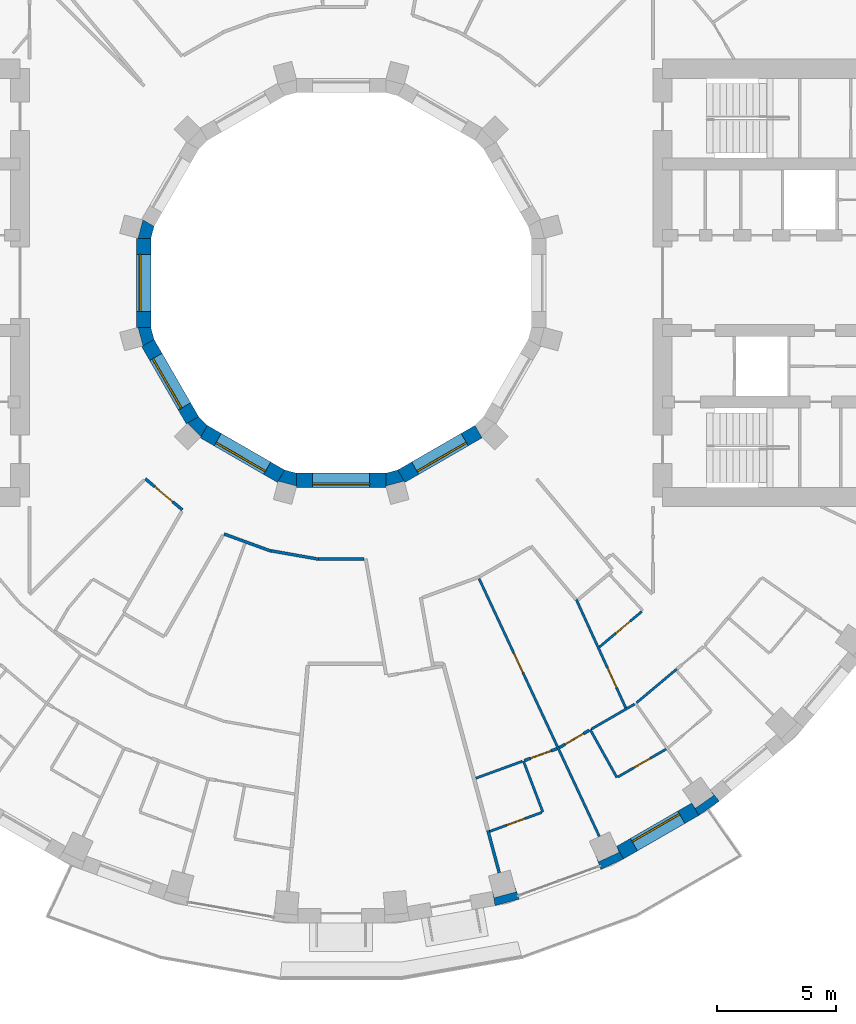
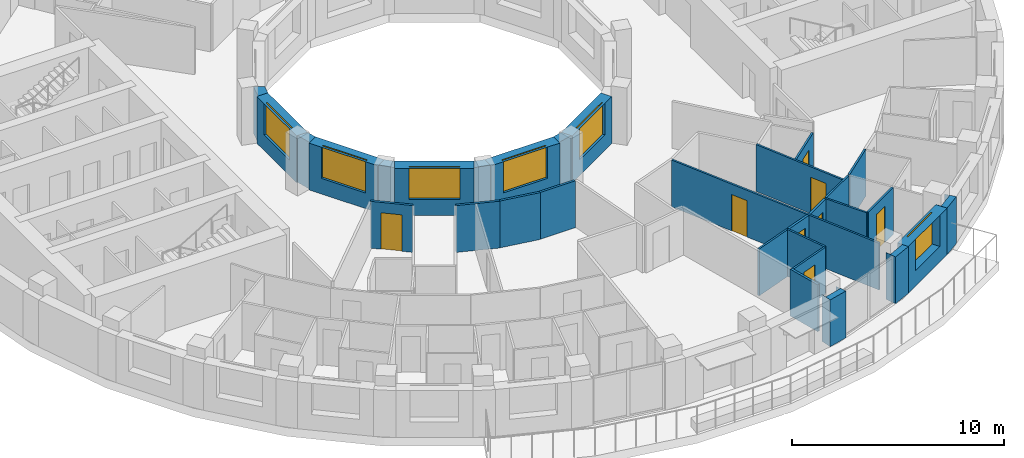
# One storey, part 8 of 16: 31 walls, 8 doors, 6 windows, 14 openings.
"""IFC4 building model written with IfcOpenShell, lengths in metres."""

from ifc_helpers import new_model, si_unit, direction, frame, frame_2d, origin, place, context, subcontext, project, spatial, polyline, rectangle, outline, extrude, material, layer, layer_set, type_object, element, fill, save


model = new_model("IFC4")

# Units and contexts
model_context = context("Model", 3, precision=1e-05, world=origin(), true_north=direction((0.0, 1.0)))
body_context = subcontext(model_context, "Body", "Model", "MODEL_VIEW")
ifc_project = project(units=[si_unit("LENGTHUNIT", "METRE"), si_unit("AREAUNIT", "SQUARE_METRE"), si_unit("VOLUMEUNIT", "CUBIC_METRE"), si_unit("PLANEANGLEUNIT", "RADIAN"), si_unit("MASSUNIT", "GRAM", prefix="KILO")], contexts=[model_context])

# Site, building, storey
site_placement = place(None, origin())
site = spatial("IfcSite", under=ifc_project, at=site_placement, CompositionType="ELEMENT")
building_placement = place(site_placement, origin())
building = spatial("IfcBuilding", under=site, at=building_placement, Name="Saqina Gate Tower", CompositionType="ELEMENT")
storey_placement = place(building_placement, frame((0.0, 0.0, 148.0)))
storey = spatial("IfcBuildingStorey", under=building, at=storey_placement, Name="L42", CompositionType="ELEMENT", Elevation=148.0)

# Walls
ifc_material_1 = material(Name="Brick masonry (buff)", Category="masonry")
wall_type_1 = type_object("IfcWallType", Name="BRICK PIER COPING BUFF", PredefinedType="SOLIDWALL", material=ifc_material_1)
wall_1_placement = place(storey_placement, origin())
element("IfcWall", 1, at=wall_1_placement, inside=storey, type_object=wall_type_1, Name="Pier cap L42 column 29", PredefinedType="SOLIDWALL", context=body_context, shape_type="SweptSolid", body=[
    extrude(outline(polyline([(6.466796875, -26.171875), (7.485595703125, -25.89892578125), (7.2802734375, -25.335205078125), (7.349853515625, -25.5947265625), (6.43212890625, -25.8408203125), (6.36279296875, -25.5810546875), (6.466796875, -26.171875)])), origin(), (0.0, 0.0, 1.0), 2.699951171875),
])
wall_2_placement = place(storey_placement, origin())
element("IfcWall", 2, at=wall_2_placement, inside=storey, type_object=wall_type_1, Name="Pier cap L42 column 30", PredefinedType="SOLIDWALL", context=body_context, shape_type="SweptSolid", body=[
    extrude(outline(polyline([(10.913330078125, -24.6513671875), (11.869140625, -24.205810546875), (11.569091796875, -23.68603515625), (11.6826171875, -23.9296875), (10.82177734375, -24.331298828125), (10.7080078125, -24.08740234375), (10.913330078125, -24.6513671875)])), origin(), (0.0, 0.0, 1.0), 2.699951171875),
])
wall_3_placement = place(storey_placement, origin())
element("IfcWall", 3, at=wall_3_placement, inside=storey, type_object=wall_type_1, Name="Pier cap L42 column 31", PredefinedType="SOLIDWALL", context=body_context, shape_type="SweptSolid", body=[
    extrude(outline(polyline([(15.89208984375, -21.77685546875), (15.50634765625, -21.317138671875), (15.66064453125, -21.53759765625), (14.88232421875, -22.08251953125), (14.728271484375, -21.862060546875), (15.0283203125, -22.3818359375), (15.89208984375, -21.77685546875)])), origin(), (0.0, 0.0, 1.0), 2.699951171875),
])

# Wall, opening, window
ifc_material_2 = material(Name="Brick masonry (buff)", Category="masonry")
ifc_layer_1 = layer(ifc_material_2, 0.60009765625)
ifc_layer_set_1 = layer_set([ifc_layer_1], Name="FW-BRICK-BUFF")
wall_type_2 = type_object("IfcWallType", Name="FW-BRICK-BUFF", PredefinedType="SOLIDWALL", material=ifc_layer_set_1)
wall_4_placement = place(storey_placement, frame((11.718994140625, -23.94580078125, 0.0), z_axis=(0.0, 0.0, 1.0), x_axis=(0.866051847062, 0.499954196102, 0.0)))
wall_4 = element("IfcWall", 4, at=wall_4_placement, inside=storey, type_object=wall_type_2, Name="Facade wall L42 facet 30", PredefinedType="SOLIDWALL", context=body_context, shape_type="SweptSolid", body=[
    extrude(rectangle(XDim=3.647705078125, YDim=0.60009765625, at=frame_2d((1.82373046875, 0.0))), origin(), (0.0, 0.0, 1.0), 2.699951171875),
])
opening_1_placement = place(wall_4_placement, frame((0.673828125, 0.0, 0.89990234375)))
opening_1 = element("IfcOpeningElement", 5, at=opening_1_placement, cuts=wall_4, Name="Opening G12-W19", PredefinedType="OPENING", context=body_context, shape_type="SweptSolid", body=[
    extrude(rectangle(XDim=2.300048828125, YDim=1.800048828125, at=frame_2d((1.14990234375, 0.89990234375))), frame((0.0, 0.31201171875, 0.0), z_axis=(0.0, -1.0, 0.0), x_axis=(1.0, 0.0, 0.0)), (0.0, 0.0, 1.0), 0.6240234375),
])
ifc_material_3 = material(Name="Aluminium glazing", Category="aluminium")
window_type_1 = type_object("IfcWindowType", Name="WN-B", PartitioningType="SINGLE_PANEL", PredefinedType="WINDOW", material=ifc_material_3)
window_1_placement = place(opening_1_placement, origin())
window_1 = element("IfcWindow", 6, at=window_1_placement, inside=storey, type_object=window_type_1, Name="Window L42 facet 30", OverallHeight=1.800048828125, OverallWidth=2.300048828125, PartitioningType="SINGLE_PANEL", PredefinedType="WINDOW", context=body_context, shape_type="SweptSolid", body=[
    extrude(rectangle(XDim=2.300048828125, YDim=1.800048828125, at=frame_2d((1.14990234375, 0.89990234375))), frame((0.0, 0.179931640625, 0.0), z_axis=(0.0, -1.0, 0.0), x_axis=(1.0, 0.0, 0.0)), (0.0, 0.0, 1.0), 0.06005859375),
])
fill(opening_1, window_1)

ifc_material_4 = material(Name="Glazed ceramic tile", Category="ceramic")
ifc_layer_2 = layer(ifc_material_4, 0.60009765625)
ifc_layer_set_2 = layer_set([ifc_layer_2], Name="IW-TILE")
wall_type_3 = type_object("IfcWallType", Name="IW-TILE", PredefinedType="SOLIDWALL", material=ifc_layer_set_2)
wall_5_placement = place(storey_placement, frame((-8.300048828125, 1.873779296875, 0.0), z_axis=(0.0, 0.0, 1.0), x_axis=(0.0, -1.0, 0.0)))
wall_5 = element("IfcWall", 7, at=wall_5_placement, inside=storey, type_object=wall_type_3, Name="Well wall L42 facet 6", PredefinedType="SOLIDWALL", context=body_context, shape_type="SweptSolid", body=[
    extrude(rectangle(XDim=3.74755859375, YDim=0.60009765625, at=frame_2d((1.873779296875, 0.0))), origin(), (0.0, 0.0, 1.0), 2.699951171875),
])
opening_2_placement = place(wall_5_placement, frame((0.673583984375, 0.0, 0.89990234375)))
opening_2 = element("IfcOpeningElement", 8, at=opening_2_placement, cuts=wall_5, Name="Opening G12-W28", PredefinedType="OPENING", context=body_context, shape_type="SweptSolid", body=[
    extrude(rectangle(XDim=2.39990234375, YDim=1.800048828125, at=frame_2d((1.199951171875, 0.89990234375))), frame((0.0, 0.31201171875, 0.0), z_axis=(0.0, -1.0, 0.0), x_axis=(1.0, 0.0, 0.0)), (0.0, 0.0, 1.0), 0.6240234375),
])
ifc_material_5 = material(Name="Aluminium glazing", Category="aluminium")
window_type_2 = type_object("IfcWindowType", Name="WN-W", PartitioningType="SINGLE_PANEL", PredefinedType="WINDOW", material=ifc_material_5)
window_2_placement = place(opening_2_placement, origin())
window_2 = element("IfcWindow", 9, at=window_2_placement, inside=storey, type_object=window_type_2, Name="Well window L42 facet 6", OverallHeight=1.800048828125, OverallWidth=2.39990234375, PartitioningType="SINGLE_PANEL", PredefinedType="WINDOW", context=body_context, shape_type="SweptSolid", body=[
    extrude(rectangle(XDim=2.39990234375, YDim=1.800048828125, at=frame_2d((1.199951171875, 0.89990234375))), frame((0.0, -0.119873046875, 0.0), z_axis=(0.0, -1.0, 0.0), x_axis=(1.0, 0.0, 0.0)), (0.0, 0.0, 1.0), 0.06005859375),
])
fill(opening_2, window_2)

wall_6_placement = place(storey_placement, frame((-8.124755859375, -2.52734375, 0.0), z_axis=(0.0, 0.0, 1.0), x_axis=(0.499964958637, -0.86604563398, 0.0)))
wall_6 = element("IfcWall", 10, at=wall_6_placement, inside=storey, type_object=wall_type_3, Name="Well wall L42 facet 7", PredefinedType="SOLIDWALL", context=body_context, shape_type="SweptSolid", body=[
    extrude(rectangle(XDim=3.747314453125, YDim=0.60009765625, at=frame_2d((1.87353515625, 0.0))), origin(), (0.0, 0.0, 1.0), 2.699951171875),
])
opening_3_placement = place(wall_6_placement, frame((0.673583984375, 0.0, 0.89990234375)))
opening_3 = element("IfcOpeningElement", 11, at=opening_3_placement, cuts=wall_6, Name="Opening G12-W29", PredefinedType="OPENING", context=body_context, shape_type="SweptSolid", body=[
    extrude(rectangle(XDim=2.39990234375, YDim=1.800048828125, at=frame_2d((1.199951171875, 0.89990234375))), frame((0.0, 0.31201171875, 0.0), z_axis=(0.0, -1.0, 0.0), x_axis=(1.0, 0.0, 0.0)), (0.0, 0.0, 1.0), 0.6240234375),
])
window_3_placement = place(opening_3_placement, origin())
window_3 = element("IfcWindow", 12, at=window_3_placement, inside=storey, type_object=window_type_2, Name="Well window L42 facet 7", OverallHeight=1.800048828125, OverallWidth=2.39990234375, PartitioningType="SINGLE_PANEL", PredefinedType="WINDOW", context=body_context, shape_type="SweptSolid", body=[
    extrude(rectangle(XDim=2.39990234375, YDim=1.800048828125, at=frame_2d((1.199951171875, 0.89990234375))), frame((0.0, -0.119873046875, 0.0), z_axis=(0.0, -1.0, 0.0), x_axis=(1.0, 0.0, 0.0)), (0.0, 0.0, 1.0), 0.06005859375),
])
fill(opening_3, window_3)

wall_7_placement = place(storey_placement, frame((-5.772705078125, -6.251220703125, 0.0), z_axis=(0.0, 0.0, 1.0), x_axis=(0.86604563398, -0.499964958637, 0.0)))
wall_7 = element("IfcWall", 13, at=wall_7_placement, inside=storey, type_object=wall_type_3, Name="Well wall L42 facet 8", PredefinedType="SOLIDWALL", context=body_context, shape_type="SweptSolid", body=[
    extrude(rectangle(XDim=3.747314453125, YDim=0.60009765625, at=frame_2d((1.87353515625, 0.0))), origin(), (0.0, 0.0, 1.0), 2.699951171875),
])
opening_4_placement = place(wall_7_placement, frame((0.673583984375, 0.0, 0.89990234375)))
opening_4 = element("IfcOpeningElement", 14, at=opening_4_placement, cuts=wall_7, Name="Opening G12-W30", PredefinedType="OPENING", context=body_context, shape_type="SweptSolid", body=[
    extrude(rectangle(XDim=2.39990234375, YDim=1.800048828125, at=frame_2d((1.199951171875, 0.89990234375))), frame((0.0, 0.31201171875, 0.0), z_axis=(0.0, -1.0, 0.0), x_axis=(1.0, 0.0, 0.0)), (0.0, 0.0, 1.0), 0.6240234375),
])
window_4_placement = place(opening_4_placement, origin())
window_4 = element("IfcWindow", 15, at=window_4_placement, inside=storey, type_object=window_type_2, Name="Well window L42 facet 8", OverallHeight=1.800048828125, OverallWidth=2.39990234375, PartitioningType="SINGLE_PANEL", PredefinedType="WINDOW", context=body_context, shape_type="SweptSolid", body=[
    extrude(rectangle(XDim=2.39990234375, YDim=1.800048828125, at=frame_2d((1.199951171875, 0.89990234375))), frame((0.0, -0.119873046875, 0.0), z_axis=(0.0, -1.0, 0.0), x_axis=(1.0, 0.0, 0.0)), (0.0, 0.0, 1.0), 0.06005859375),
])
fill(opening_4, window_4)

wall_8_placement = place(storey_placement, frame((-1.873779296875, -8.300048828125, 0.0), z_axis=(0.0, 0.0, 1.0), x_axis=(1.0, 0.0, 0.0)))
wall_8 = element("IfcWall", 16, at=wall_8_placement, inside=storey, type_object=wall_type_3, Name="Well wall L42 facet 9", PredefinedType="SOLIDWALL", context=body_context, shape_type="SweptSolid", body=[
    extrude(rectangle(XDim=3.74755859375, YDim=0.60009765625, at=frame_2d((1.873779296875, 0.0))), origin(), (0.0, 0.0, 1.0), 2.699951171875),
])
opening_5_placement = place(wall_8_placement, frame((0.673583984375, 0.0, 0.89990234375)))
opening_5 = element("IfcOpeningElement", 17, at=opening_5_placement, cuts=wall_8, Name="Opening G12-W31", PredefinedType="OPENING", context=body_context, shape_type="SweptSolid", body=[
    extrude(rectangle(XDim=2.39990234375, YDim=1.800048828125, at=frame_2d((1.199951171875, 0.89990234375))), frame((0.0, 0.31201171875, 0.0), z_axis=(0.0, -1.0, 0.0), x_axis=(1.0, 0.0, 0.0)), (0.0, 0.0, 1.0), 0.6240234375),
])
window_5_placement = place(opening_5_placement, origin())
window_5 = element("IfcWindow", 18, at=window_5_placement, inside=storey, type_object=window_type_2, Name="Well window L42 facet 9", OverallHeight=1.800048828125, OverallWidth=2.39990234375, PartitioningType="SINGLE_PANEL", PredefinedType="WINDOW", context=body_context, shape_type="SweptSolid", body=[
    extrude(rectangle(XDim=2.39990234375, YDim=1.800048828125, at=frame_2d((1.199951171875, 0.89990234375))), frame((0.0, -0.119873046875, 0.0), z_axis=(0.0, -1.0, 0.0), x_axis=(1.0, 0.0, 0.0)), (0.0, 0.0, 1.0), 0.06005859375),
])
fill(opening_5, window_5)

wall_9_placement = place(storey_placement, frame((2.52734375, -8.124755859375, 0.0), z_axis=(0.0, 0.0, 1.0), x_axis=(0.86604563398, 0.499964958637, 0.0)))
wall_9 = element("IfcWall", 19, at=wall_9_placement, inside=storey, type_object=wall_type_3, Name="Well wall L42 facet 10", PredefinedType="SOLIDWALL", context=body_context, shape_type="SweptSolid", body=[
    extrude(rectangle(XDim=3.747314453125, YDim=0.60009765625, at=frame_2d((1.87353515625, 0.0))), origin(), (0.0, 0.0, 1.0), 2.699951171875),
])
opening_6_placement = place(wall_9_placement, frame((0.673583984375, 0.0, 0.89990234375)))
opening_6 = element("IfcOpeningElement", 20, at=opening_6_placement, cuts=wall_9, Name="Opening G12-W32", PredefinedType="OPENING", context=body_context, shape_type="SweptSolid", body=[
    extrude(rectangle(XDim=2.39990234375, YDim=1.800048828125, at=frame_2d((1.199951171875, 0.89990234375))), frame((0.0, 0.31201171875, 0.0), z_axis=(0.0, -1.0, 0.0), x_axis=(1.0, 0.0, 0.0)), (0.0, 0.0, 1.0), 0.6240234375),
])
window_6_placement = place(opening_6_placement, origin())
window_6 = element("IfcWindow", 21, at=window_6_placement, inside=storey, type_object=window_type_2, Name="Well window L42 facet 10", OverallHeight=1.800048828125, OverallWidth=2.39990234375, PartitioningType="SINGLE_PANEL", PredefinedType="WINDOW", context=body_context, shape_type="SweptSolid", body=[
    extrude(rectangle(XDim=2.39990234375, YDim=1.800048828125, at=frame_2d((1.199951171875, 0.89990234375))), frame((0.0, -0.119873046875, 0.0), z_axis=(0.0, -1.0, 0.0), x_axis=(1.0, 0.0, 0.0)), (0.0, 0.0, 1.0), 0.06005859375),
])
fill(opening_6, window_6)

# Wall
ifc_material_6 = material(Name="Gypsum board on steel studs, 100 mm", Category="steel")
ifc_layer_3 = layer(ifc_material_6, 0.10009765625)
ifc_layer_set_3 = layer_set([ifc_layer_3], Name="PARTITION 100")
wall_type_4 = type_object("IfcWallType", Name="PARTITION 100", PredefinedType="PARTITIONING", material=ifc_layer_set_3)
wall_10_placement = place(storey_placement, frame((7.656982421875, -20.090087890625, 0.0), z_axis=(0.0, 0.0, 1.0), x_axis=(0.35616749028, -0.934422130981, 0.0)))
element("IfcWall", 22, at=wall_10_placement, inside=storey, type_object=wall_type_4, Name="PARTITION PW3-06", PredefinedType="PARTITIONING", context=body_context, shape_type="SweptSolid", body=[
    extrude(rectangle(XDim=2.2998046875, YDim=0.10009765625, at=frame_2d((1.14990234375, 0.0))), origin(), (0.0, 0.0, 1.0), 2.699951171875),
])

# Wall, opening, door
wall_11_placement = place(storey_placement, frame((9.882568359375, -13.311767578125, 0.0), z_axis=(0.0, 0.0, 1.0), x_axis=(0.415273903312, -0.909696424764, 0.0)))
wall_11 = element("IfcWall", 23, at=wall_11_placement, inside=storey, type_object=wall_type_4, Name="PARTITION PW3-07", PredefinedType="PARTITIONING", context=body_context, shape_type="SweptSolid", body=[
    extrude(rectangle(XDim=5.0, YDim=0.10009765625, at=frame_2d((2.5, 0.0))), origin(), (0.0, 0.0, 1.0), 2.699951171875),
])
opening_7_placement = place(wall_11_placement, frame((3.16552734375, 0.0, 0.0)))
opening_7 = element("IfcOpeningElement", 24, at=opening_7_placement, cuts=wall_11, Name="Opening G12-D54", PredefinedType="OPENING", context=body_context, shape_type="SweptSolid", body=[
    extrude(rectangle(XDim=0.89990234375, YDim=2.10009765625, at=frame_2d((0.449951171875, 1.050048828125))), frame((0.0, 0.06201171875, 0.0), z_axis=(0.0, -1.0, 0.0), x_axis=(1.0, 0.0, 0.0)), (0.0, 0.0, 1.0), 0.1240234375),
])
ifc_material_7 = material(Name="Timber door leaf, 900 mm", Category="wood")
door_type_1 = type_object("IfcDoorType", Name="DOOR 900 TIMBER", OperationType="SINGLE_SWING_LEFT", PredefinedType="DOOR", material=ifc_material_7)
door_1_placement = place(opening_7_placement, origin())
door_1 = element("IfcDoor", 25, at=door_1_placement, inside=storey, type_object=door_type_1, Name="DOOR G12-D54", OperationType="SINGLE_SWING_RIGHT", OverallHeight=2.10009765625, OverallWidth=0.89990234375, PredefinedType="DOOR", context=body_context, shape_type="SweptSolid", body=[
    extrude(rectangle(XDim=0.89990234375, YDim=2.10009765625, at=frame_2d((0.449951171875, 1.050048828125))), frame((0.0, 0.02490234375, 0.0), z_axis=(0.0, -1.0, 0.0), x_axis=(1.0, 0.0, 0.0)), (0.0, 0.0, 1.0), 0.050048828125),
])
fill(opening_7, door_1)

wall_12_placement = place(storey_placement, frame((5.79443359375, -12.429931640625, 0.0), z_axis=(0.0, 0.0, 1.0), x_axis=(0.422795993745, -0.906224888023, 0.0)))
wall_12 = element("IfcWall", 26, at=wall_12_placement, inside=storey, type_object=wall_type_4, Name="PARTITION PW3-09", PredefinedType="PARTITIONING", context=body_context, shape_type="SweptSolid", body=[
    extrude(rectangle(XDim=11.95068359375, YDim=0.10009765625, at=frame_2d((5.975341796875, 0.0))), origin(), (0.0, 0.0, 1.0), 2.699951171875),
])
opening_8_placement = place(wall_12_placement, frame((3.45068359375, 0.0, 0.0)))
opening_8 = element("IfcOpeningElement", 27, at=opening_8_placement, cuts=wall_12, Name="Opening G12-D51", PredefinedType="OPENING", context=body_context, shape_type="SweptSolid", body=[
    extrude(rectangle(XDim=0.89990234375, YDim=2.10009765625, at=frame_2d((0.449951171875, 1.050048828125))), frame((0.0, 0.06201171875, 0.0), z_axis=(0.0, -1.0, 0.0), x_axis=(1.0, 0.0, 0.0)), (0.0, 0.0, 1.0), 0.1240234375),
])
door_2_placement = place(opening_8_placement, origin())
door_2 = element("IfcDoor", 28, at=door_2_placement, inside=storey, type_object=door_type_1, Name="DOOR G12-D51", OperationType="SINGLE_SWING_LEFT", OverallHeight=2.10009765625, OverallWidth=0.89990234375, PredefinedType="DOOR", context=body_context, shape_type="SweptSolid", body=[
    extrude(rectangle(XDim=0.89990234375, YDim=2.10009765625, at=frame_2d((0.449951171875, 1.050048828125))), frame((0.0, 0.02490234375, 0.0), z_axis=(0.0, -1.0, 0.0), x_axis=(1.0, 0.0, 0.0)), (0.0, 0.0, 1.0), 0.050048828125),
])
fill(opening_8, door_2)

# Wall
wall_13_placement = place(storey_placement, frame((10.468017578125, -18.779052734375, 0.0), z_axis=(0.0, 0.0, 1.0), x_axis=(0.486886136125, -0.873465448915, 0.0)))
element("IfcWall", 29, at=wall_13_placement, inside=storey, type_object=wall_type_4, Name="PARTITION PW3-10", PredefinedType="PARTITIONING", context=body_context, shape_type="SweptSolid", body=[
    extrude(rectangle(XDim=2.300048828125, YDim=0.10009765625, at=frame_2d((1.14990234375, 0.0))), origin(), (0.0, 0.0, 1.0), 2.699951171875),
])

# Wall, opening, door
wall_14_placement = place(storey_placement, frame((6.24169921875, -23.052734375, 0.0), z_axis=(0.0, 0.0, 1.0), x_axis=(0.939618756308, 0.342223016166, 0.0)))
wall_14 = element("IfcWall", 30, at=wall_14_placement, inside=storey, type_object=wall_type_4, Name="PARTITION PW3-67", PredefinedType="PARTITIONING", context=body_context, shape_type="SweptSolid", body=[
    extrude(rectangle(XDim=2.327880859375, YDim=0.10009765625, at=frame_2d((1.1640625, 0.0))), origin(), (0.0, 0.0, 1.0), 2.699951171875),
])
opening_9_placement = place(wall_14_placement, frame((0.7578125, 0.0, 0.0)))
opening_9 = element("IfcOpeningElement", 31, at=opening_9_placement, cuts=wall_14, Name="Opening G12-D49", PredefinedType="OPENING", context=body_context, shape_type="SweptSolid", body=[
    extrude(rectangle(XDim=0.800048828125, YDim=2.10009765625, at=frame_2d((0.39990234375, 1.050048828125))), frame((0.0, 0.06201171875, 0.0), z_axis=(0.0, -1.0, 0.0), x_axis=(1.0, 0.0, 0.0)), (0.0, 0.0, 1.0), 0.1240234375),
])
ifc_material_8 = material(Name="Timber door leaf, 800 mm", Category="wood")
door_type_2 = type_object("IfcDoorType", Name="DOOR 800 TIMBER", OperationType="SINGLE_SWING_LEFT", PredefinedType="DOOR", material=ifc_material_8)
door_3_placement = place(opening_9_placement, frame((0.800048828125, 0.0, 0.0), z_axis=(0.0, 0.0, 1.0), x_axis=(-1.0, 0.0, 0.0)))
door_3 = element("IfcDoor", 32, at=door_3_placement, inside=storey, type_object=door_type_2, Name="DOOR G12-D49", OperationType="SINGLE_SWING_RIGHT", OverallHeight=2.10009765625, OverallWidth=0.800048828125, PredefinedType="DOOR", context=body_context, shape_type="SweptSolid", body=[
    extrude(rectangle(XDim=0.800048828125, YDim=2.10009765625, at=frame_2d((0.39990234375, 1.050048828125))), frame((0.0, 0.02490234375, 0.0), z_axis=(0.0, -1.0, 0.0), x_axis=(1.0, 0.0, 0.0)), (0.0, 0.0, 1.0), 0.050048828125),
])
fill(opening_9, door_3)

# Wall
wall_15_placement = place(storey_placement, frame((5.655517578125, -20.818359375, 0.0), z_axis=(0.0, 0.0, 1.0), x_axis=(0.939728291625, 0.341922122596, 0.0)))
element("IfcWall", 33, at=wall_15_placement, inside=storey, type_object=wall_type_4, Name="PARTITION PW3-68", PredefinedType="PARTITIONING", context=body_context, shape_type="SweptSolid", body=[
    extrude(rectangle(XDim=2.079833984375, YDim=0.10009765625, at=frame_2d((1.0400390625, 0.0))), origin(), (0.0, 0.0, 1.0), 2.699951171875),
])

# Wall, opening, door
wall_16_placement = place(storey_placement, frame((11.63134765625, -20.762939453125, 0.0), z_axis=(0.0, 0.0, 1.0), x_axis=(0.866130014302, 0.499818765479, 0.0)))
wall_16 = element("IfcWall", 34, at=wall_16_placement, inside=storey, type_object=wall_type_4, Name="PARTITION PW3-73", PredefinedType="PARTITIONING", context=body_context, shape_type="SweptSolid", body=[
    extrude(rectangle(XDim=2.340576171875, YDim=0.10009765625, at=frame_2d((1.17041015625, 0.0))), origin(), (0.0, 0.0, 1.0), 2.699951171875),
])
opening_10_placement = place(wall_16_placement, frame((0.7705078125, 0.0, 0.0)))
opening_10 = element("IfcOpeningElement", 35, at=opening_10_placement, cuts=wall_16, Name="Opening G12-D53", PredefinedType="OPENING", context=body_context, shape_type="SweptSolid", body=[
    extrude(rectangle(XDim=0.800048828125, YDim=2.10009765625, at=frame_2d((0.39990234375, 1.050048828125))), frame((0.0, 0.06201171875, 0.0), z_axis=(0.0, -1.0, 0.0), x_axis=(1.0, 0.0, 0.0)), (0.0, 0.0, 1.0), 0.1240234375),
])
door_4_placement = place(opening_10_placement, frame((0.800048828125, 0.0, 0.0), z_axis=(0.0, 0.0, 1.0), x_axis=(-1.0, 0.0, 0.0)))
door_4 = element("IfcDoor", 36, at=door_4_placement, inside=storey, type_object=door_type_2, Name="DOOR G12-D53", OperationType="SINGLE_SWING_LEFT", OverallHeight=2.10009765625, OverallWidth=0.800048828125, PredefinedType="DOOR", context=body_context, shape_type="SweptSolid", body=[
    extrude(rectangle(XDim=0.800048828125, YDim=2.10009765625, at=frame_2d((0.39990234375, 1.050048828125))), frame((0.0, 0.02490234375, 0.0), z_axis=(0.0, -1.0, 0.0), x_axis=(1.0, 0.0, 0.0)), (0.0, 0.0, 1.0), 0.050048828125),
])
fill(opening_10, door_4)

# Walls
wall_17_placement = place(storey_placement, frame((10.51123046875, -18.75390625, 0.0), z_axis=(0.0, 0.0, 1.0), x_axis=(0.866071606143, 0.499919966627, 0.0)))
element("IfcWall", 37, at=wall_17_placement, inside=storey, type_object=wall_type_4, Name="PARTITION PW3-74", PredefinedType="PARTITIONING", context=body_context, shape_type="SweptSolid", body=[
    extrude(rectangle(XDim=2.104248046875, YDim=0.10009765625, at=frame_2d((1.05224609375, 0.0))), origin(), (0.0, 0.0, 1.0), 2.699951171875),
])
wall_18_placement = place(storey_placement, frame((12.415283203125, -17.644775390625, 0.0), z_axis=(0.0, 0.0, 1.0), x_axis=(0.766093039246, 0.642729690631, 0.0)))
element("IfcWall", 38, at=wall_18_placement, inside=storey, type_object=wall_type_4, Name="PARTITION PW3-81", PredefinedType="PARTITIONING", context=body_context, shape_type="SweptSolid", body=[
    extrude(rectangle(XDim=2.20458984375, YDim=0.10009765625, at=frame_2d((1.102294921875, 0.0))), origin(), (0.0, 0.0, 1.0), 2.699951171875),
])

# Wall, opening, door
wall_19_placement = place(storey_placement, frame((10.848388671875, -15.30712890625, 0.0), z_axis=(0.0, 0.0, 1.0), x_axis=(0.766356114298, 0.642415991456, 0.0)))
wall_19 = element("IfcWall", 39, at=wall_19_placement, inside=storey, type_object=wall_type_4, Name="PARTITION PW3-82", PredefinedType="PARTITIONING", context=body_context, shape_type="SweptSolid", body=[
    extrude(rectangle(XDim=2.332275390625, YDim=0.10009765625, at=frame_2d((1.166015625, 0.0))), origin(), (0.0, 0.0, 1.0), 2.699951171875),
])
opening_11_placement = place(wall_19_placement, frame((0.90234375, 0.0, 0.0)))
opening_11 = element("IfcOpeningElement", 40, at=opening_11_placement, cuts=wall_19, Name="Opening G12-D56", PredefinedType="OPENING", context=body_context, shape_type="SweptSolid", body=[
    extrude(rectangle(XDim=0.800048828125, YDim=2.10009765625, at=frame_2d((0.39990234375, 1.050048828125))), frame((0.0, 0.06201171875, 0.0), z_axis=(0.0, -1.0, 0.0), x_axis=(1.0, 0.0, 0.0)), (0.0, 0.0, 1.0), 0.1240234375),
])
door_5_placement = place(opening_11_placement, frame((0.800048828125, 0.0, 0.0), z_axis=(0.0, 0.0, 1.0), x_axis=(-1.0, 0.0, 0.0)))
door_5 = element("IfcDoor", 41, at=door_5_placement, inside=storey, type_object=door_type_2, Name="DOOR G12-D56", OperationType="SINGLE_SWING_LEFT", OverallHeight=2.10009765625, OverallWidth=0.800048828125, PredefinedType="DOOR", context=body_context, shape_type="SweptSolid", body=[
    extrude(rectangle(XDim=0.800048828125, YDim=2.10009765625, at=frame_2d((0.39990234375, 1.050048828125))), frame((0.0, 0.02490234375, 0.0), z_axis=(0.0, -1.0, 0.0), x_axis=(1.0, 0.0, 0.0)), (0.0, 0.0, 1.0), 0.050048828125),
])
fill(opening_11, door_5)

# Wall
ifc_material_9 = material(Name="Gypsum board on steel studs, 125 mm, fire rated", Category="steel")
ifc_layer_4 = layer(ifc_material_9, 0.125)
ifc_layer_set_4 = layer_set([ifc_layer_4], Name="PARTITION EI 30 125")
wall_type_5 = type_object("IfcWallType", Name="PARTITION EI 30 125", PredefinedType="PARTITIONING", material=ifc_layer_set_4)
wall_20_placement = place(storey_placement, frame((6.166259765625, -23.013671875, 0.0), z_axis=(0.0, 0.0, 1.0), x_axis=(0.258802424466, -0.965930279622, 0.0)))
element("IfcWall", 42, at=wall_20_placement, inside=storey, type_object=wall_type_5, Name="PARTITION PW1-03", PredefinedType="PARTITIONING", context=body_context, shape_type="SweptSolid", body=[
    extrude(rectangle(XDim=1.839599609375, YDim=0.125, at=frame_2d((0.919921875, 0.0))), origin(), (0.0, 0.0, 1.0), 2.699951171875),
])

# Wall, opening, door
wall_21_placement = place(storey_placement, frame((-8.23291015625, -8.23193359375, 0.0), z_axis=(0.0, 0.0, 1.0), x_axis=(0.766275589864, -0.642512039092, 0.0)))
wall_21 = element("IfcWall", 43, at=wall_21_placement, inside=storey, type_object=wall_type_5, Name="PARTITION PW1-12", PredefinedType="PARTITIONING", context=body_context, shape_type="SweptSolid", body=[
    extrude(rectangle(XDim=2.02978515625, YDim=0.125, at=frame_2d((1.014892578125, 0.0))), origin(), (0.0, 0.0, 1.0), 2.699951171875),
])
opening_12_placement = place(wall_21_placement, frame((0.5146484375, 0.0, 0.0)))
opening_12 = element("IfcOpeningElement", 44, at=opening_12_placement, cuts=wall_21, Name="Opening G12-D37", PredefinedType="OPENING", context=body_context, shape_type="SweptSolid", body=[
    extrude(rectangle(XDim=1.0, YDim=2.10009765625, at=frame_2d((0.5, 1.050048828125))), frame((0.0, 0.074462890625, 0.0), z_axis=(0.0, -1.0, 0.0), x_axis=(1.0, 0.0, 0.0)), (0.0, 0.0, 1.0), 0.14892578125),
])
ifc_material_10 = material(Name="Fire door leaf EI 30, 1000 mm")
door_type_3 = type_object("IfcDoorType", Name="DOOR 1000 EI 30", OperationType="SINGLE_SWING_LEFT", PredefinedType="DOOR", material=ifc_material_10)
door_6_placement = place(opening_12_placement, frame((1.0, 0.0, 0.0), z_axis=(0.0, 0.0, 1.0), x_axis=(-1.0, 0.0, 0.0)))
door_6 = element("IfcDoor", 45, at=door_6_placement, inside=storey, type_object=door_type_3, Name="DOOR G12-D37", OperationType="SINGLE_SWING_RIGHT", OverallHeight=2.10009765625, OverallWidth=1.0, PredefinedType="DOOR", context=body_context, shape_type="SweptSolid", body=[
    extrude(rectangle(XDim=1.0, YDim=2.10009765625, at=frame_2d((0.5, 1.050048828125))), frame((0.0, 0.02490234375, 0.0), z_axis=(0.0, -1.0, 0.0), x_axis=(1.0, 0.0, 0.0)), (0.0, 0.0, 1.0), 0.050048828125),
])
fill(opening_12, door_6)

# Walls
wall_22_placement = place(storey_placement, frame((-4.9208984375, -10.552978515625, 0.0), z_axis=(0.0, 0.0, 1.0), x_axis=(0.939408005118, -0.342801108399, 0.0)))
element("IfcWall", 46, at=wall_22_placement, inside=storey, type_object=wall_type_5, Name="PARTITION PW1-22", PredefinedType="PARTITIONING", context=body_context, shape_type="SweptSolid", body=[
    extrude(rectangle(XDim=2.093017578125, YDim=0.125, at=frame_2d((1.04638671875, 0.0))), origin(), (0.0, 0.0, 1.0), 2.699951171875),
])
wall_23_placement = place(storey_placement, frame((-2.952392578125, -11.2587890625, 0.0), z_axis=(0.0, 0.0, 1.0), x_axis=(0.984837972304, -0.173476708256, 0.0)))
element("IfcWall", 47, at=wall_23_placement, inside=storey, type_object=wall_type_5, Name="PARTITION PW1-25", PredefinedType="PARTITIONING", context=body_context, shape_type="SweptSolid", body=[
    extrude(rectangle(XDim=2.03076171875, YDim=0.125, at=frame_2d((1.015380859375, 0.0))), origin(), (0.0, 0.0, 1.0), 2.699951171875),
])
wall_24_placement = place(storey_placement, frame((-0.952392578125, -11.60009765625, 0.0), z_axis=(0.0, 0.0, 1.0), x_axis=(1.0, 0.0, 0.0)))
element("IfcWall", 48, at=wall_24_placement, inside=storey, type_object=wall_type_5, Name="PARTITION PW1-28", PredefinedType="PARTITIONING", context=body_context, shape_type="SweptSolid", body=[
    extrude(rectangle(XDim=1.90478515625, YDim=0.125, at=frame_2d((0.952392578125, 0.0))), origin(), (0.0, 0.0, 1.0), 2.699951171875),
])

# Wall, opening, door
wall_25_placement = place(storey_placement, frame((7.7041015625, -20.072998046875, 0.0), z_axis=(0.0, 0.0, 1.0), x_axis=(0.939788529673, 0.341756520778, 0.0)))
wall_25 = element("IfcWall", 49, at=wall_25_placement, inside=storey, type_object=wall_type_5, Name="PARTITION PW1-34", PredefinedType="PARTITIONING", context=body_context, shape_type="SweptSolid", body=[
    extrude(rectangle(XDim=1.45654296875, YDim=0.125, at=frame_2d((0.728271484375, 0.0))), origin(), (0.0, 0.0, 1.0), 2.699951171875),
])
opening_13_placement = place(wall_25_placement, frame((0.2783203125, 0.0, 0.0)))
opening_13 = element("IfcOpeningElement", 50, at=opening_13_placement, cuts=wall_25, Name="Opening G12-D50", PredefinedType="OPENING", context=body_context, shape_type="SweptSolid", body=[
    extrude(rectangle(XDim=0.89990234375, YDim=2.10009765625, at=frame_2d((0.449951171875, 1.050048828125))), frame((0.0, 0.074462890625, 0.0), z_axis=(0.0, -1.0, 0.0), x_axis=(1.0, 0.0, 0.0)), (0.0, 0.0, 1.0), 0.14892578125),
])
ifc_material_11 = material(Name="Fire door leaf EI 30, 900 mm")
door_type_4 = type_object("IfcDoorType", Name="DOOR 900 EI 30", OperationType="SINGLE_SWING_LEFT", PredefinedType="DOOR", material=ifc_material_11)
door_7_placement = place(opening_13_placement, origin())
door_7 = element("IfcDoor", 51, at=door_7_placement, inside=storey, type_object=door_type_4, Name="DOOR G12-D50", OperationType="SINGLE_SWING_RIGHT", OverallHeight=2.10009765625, OverallWidth=0.89990234375, PredefinedType="DOOR", context=body_context, shape_type="SweptSolid", body=[
    extrude(rectangle(XDim=0.89990234375, YDim=2.10009765625, at=frame_2d((0.449951171875, 1.050048828125))), frame((0.0, 0.02490234375, 0.0), z_axis=(0.0, -1.0, 0.0), x_axis=(1.0, 0.0, 0.0)), (0.0, 0.0, 1.0), 0.050048828125),
])
fill(opening_13, door_7)

wall_26_placement = place(storey_placement, frame((9.163330078125, -19.532958984375, 0.0), z_axis=(0.0, 0.0, 1.0), x_axis=(0.865819905352, 0.500355764928, 0.0)))
wall_26 = element("IfcWall", 52, at=wall_26_placement, inside=storey, type_object=wall_type_5, Name="PARTITION PW1-38", PredefinedType="PARTITIONING", context=body_context, shape_type="SweptSolid", body=[
    extrude(rectangle(XDim=1.45703125, YDim=0.125, at=frame_2d((0.728515625, 0.0))), origin(), (0.0, 0.0, 1.0), 2.699951171875),
])
opening_14_placement = place(wall_26_placement, frame((0.278564453125, 0.0, 0.0)))
opening_14 = element("IfcOpeningElement", 53, at=opening_14_placement, cuts=wall_26, Name="Opening G12-D52", PredefinedType="OPENING", context=body_context, shape_type="SweptSolid", body=[
    extrude(rectangle(XDim=0.89990234375, YDim=2.10009765625, at=frame_2d((0.449951171875, 1.050048828125))), frame((0.0, 0.074462890625, 0.0), z_axis=(0.0, -1.0, 0.0), x_axis=(1.0, 0.0, 0.0)), (0.0, 0.0, 1.0), 0.14892578125),
])
door_8_placement = place(opening_14_placement, origin())
door_8 = element("IfcDoor", 54, at=door_8_placement, inside=storey, type_object=door_type_4, Name="DOOR G12-D52", OperationType="SINGLE_SWING_LEFT", OverallHeight=2.10009765625, OverallWidth=0.89990234375, PredefinedType="DOOR", context=body_context, shape_type="SweptSolid", body=[
    extrude(rectangle(XDim=0.89990234375, YDim=2.10009765625, at=frame_2d((0.449951171875, 1.050048828125))), frame((0.0, 0.02490234375, 0.0), z_axis=(0.0, -1.0, 0.0), x_axis=(1.0, 0.0, 0.0)), (0.0, 0.0, 1.0), 0.050048828125),
])
fill(opening_14, door_8)

# Walls
ifc_material_12 = material(Name="Glazed ceramic tile", Category="ceramic")
wall_type_6 = type_object("IfcWallType", Name="TILE PIER COPING", PredefinedType="SOLIDWALL", material=ifc_material_12)
wall_27_placement = place(storey_placement, origin())
element("IfcWall", 55, at=wall_27_placement, inside=storey, type_object=wall_type_6, Name="Well pier cap L42 column 6", PredefinedType="SOLIDWALL", context=body_context, shape_type="SweptSolid", body=[
    extrude(outline(polyline([(-8.5380859375, 1.873779296875), (-8.0, 1.873779296875), (-7.864990234375, 2.377197265625), (-8.3310546875, 2.646484375), (-8.5380859375, 1.873779296875)])), origin(), (0.0, 0.0, 1.0), 2.699951171875),
])
wall_28_placement = place(storey_placement, origin())
element("IfcWall", 56, at=wall_28_placement, inside=storey, type_object=wall_type_6, Name="Well pier cap L42 column 7", PredefinedType="SOLIDWALL", context=body_context, shape_type="SweptSolid", body=[
    extrude(outline(polyline([(-8.3310546875, -2.646484375), (-7.864990234375, -2.377197265625), (-8.0, -1.873779296875), (-8.5380859375, -1.873779296875), (-8.3310546875, -2.646484375)])), origin(), (0.0, 0.0, 1.0), 2.699951171875),
])
wall_29_placement = place(storey_placement, origin())
element("IfcWall", 57, at=wall_29_placement, inside=storey, type_object=wall_type_6, Name="Well pier cap L42 column 8", PredefinedType="SOLIDWALL", context=body_context, shape_type="SweptSolid", body=[
    extrude(outline(polyline([(-6.45751953125, -5.891845703125), (-5.891845703125, -6.45751953125), (-5.622802734375, -5.991455078125), (-5.991455078125, -5.622802734375), (-6.45751953125, -5.891845703125)])), origin(), (0.0, 0.0, 1.0), 2.699951171875),
])
wall_30_placement = place(storey_placement, origin())
element("IfcWall", 58, at=wall_30_placement, inside=storey, type_object=wall_type_6, Name="Well pier cap L42 column 9", PredefinedType="SOLIDWALL", context=body_context, shape_type="SweptSolid", body=[
    extrude(outline(polyline([(-1.873779296875, -8.5380859375), (-1.873779296875, -8.0), (-2.377197265625, -7.864990234375), (-2.646484375, -8.3310546875), (-1.873779296875, -8.5380859375)])), origin(), (0.0, 0.0, 1.0), 2.699951171875),
])
wall_31_placement = place(storey_placement, origin())
element("IfcWall", 59, at=wall_31_placement, inside=storey, type_object=wall_type_6, Name="Well pier cap L42 column 10", PredefinedType="SOLIDWALL", context=body_context, shape_type="SweptSolid", body=[
    extrude(outline(polyline([(2.646484375, -8.3310546875), (2.377197265625, -7.864990234375), (1.873779296875, -8.0), (1.873779296875, -8.5380859375), (2.646484375, -8.3310546875)])), origin(), (0.0, 0.0, 1.0), 2.699951171875),
])

save(model, "model.ifc")
